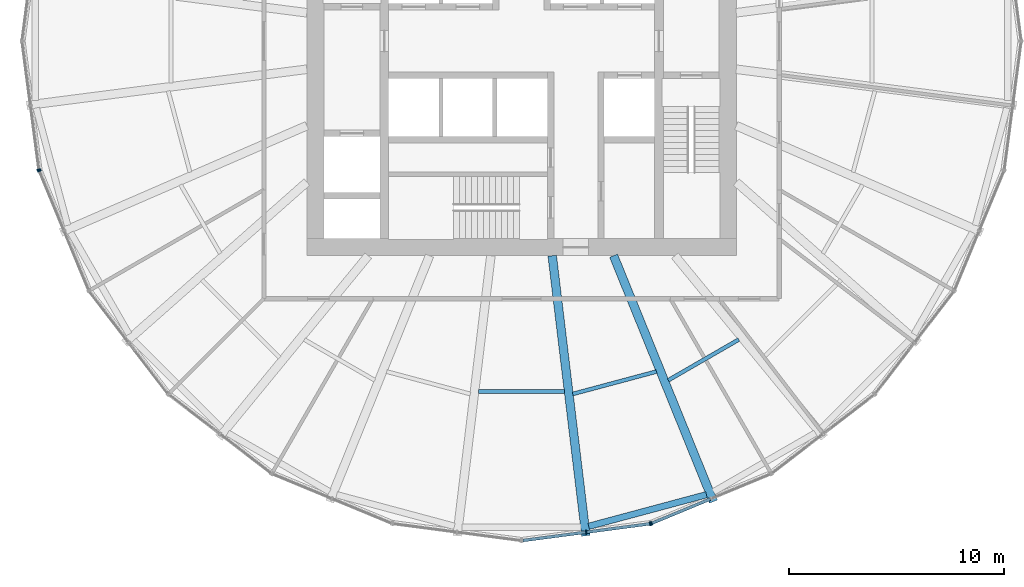
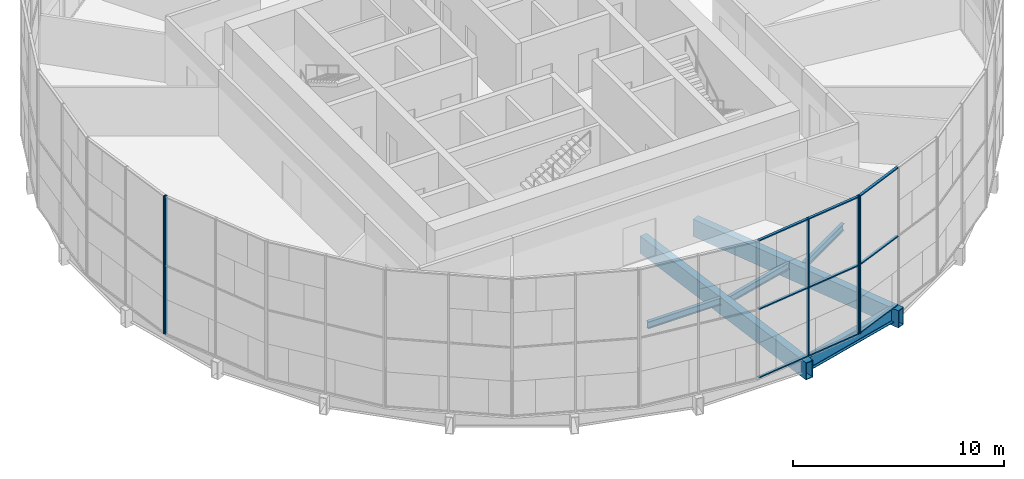
# One storey, part 2 of 18: 14 members, 6 beams, 4 elements without a shape of their own.
"""IFC4 building model written with IfcOpenShell, lengths in metres."""

from ifc_helpers import new_model, si_unit, direction, frame, origin, origin_2d, place, context, subcontext, project, spatial, rectangle, hollow_rectangle, i_section, extrude, material, material_profile, profile_set, type_object, element, aggregate, save


model = new_model("IFC4")

# Units and contexts
model_context = context("Model", 3, precision=1e-05, world=origin(), true_north=direction((0.0, 1.0)))
body_context = subcontext(model_context, "Body", "Model", "MODEL_VIEW")
ifc_project = project(units=[si_unit("LENGTHUNIT", "METRE"), si_unit("AREAUNIT", "SQUARE_METRE"), si_unit("VOLUMEUNIT", "CUBIC_METRE"), si_unit("PLANEANGLEUNIT", "RADIAN"), si_unit("MASSUNIT", "GRAM", prefix="KILO")], contexts=[model_context])

# Site, building, storey
site_placement = place(None, origin())
site = spatial("IfcSite", under=ifc_project, at=site_placement, CompositionType="ELEMENT")
building_placement = place(site_placement, origin())
building = spatial("IfcBuilding", under=site, at=building_placement, Name="Golbaran Civic Tower", CompositionType="ELEMENT")
storey_placement = place(building_placement, frame((0.0, 0.0, 45.0)))
storey = spatial("IfcBuildingStorey", under=building, at=storey_placement, Name="L10", CompositionType="ELEMENT", Elevation=45.0)

# Beams
ifc_material_1 = material(Name="Steel S355", Category="steel")
ifc_material_profile_1 = material_profile(ifc_material_1, i_section(OverallWidth=0.300048828125, OverallDepth=0.800048828125, WebThickness=0.017578125, FlangeThickness=0.032958984375, FilletRadius=0.030029296875, at=origin_2d()), Name="HEB 800")
ifc_profile_set_1 = profile_set([ifc_material_profile_1], Name="Steel S355")
beam_type_1 = type_object("IfcBeamType", Name="EDGE BEAM HEB 800", PredefinedType="BEAM", material=ifc_profile_set_1)
beam_1_placement = place(storey_placement, frame((3.127685546875, -22.603271484375, -0.60009765625), z_axis=(0.965816844102, 0.259225430173, 0.0), x_axis=(-0.259225430173, 0.965816844102, 0.0)))
element("IfcBeam", 1, at=beam_1_placement, inside=storey, type_object=beam_type_1, Name="Edge beam 277.40 L10", PredefinedType="BEAM", context=body_context, shape_type="SweptSolid", body=[
    extrude(i_section(OverallWidth=0.300048828125, OverallDepth=0.800048828125, WebThickness=0.017578125, FlangeThickness=0.032958984375, FilletRadius=0.030029296875, at=origin_2d()), origin(), (0.0, 0.0, 1.0), 5.67724609375),
])
ifc_material_profile_2 = material_profile(ifc_material_1, i_section(OverallWidth=0.179931640625, OverallDepth=0.39990234375, WebThickness=0.008544921875, FlangeThickness=0.013427734375, FilletRadius=0.02099609375, at=origin_2d()), Name="IPE 400")
ifc_profile_set_2 = profile_set([ifc_material_profile_2], Name="Steel S355")
beam_type_2 = type_object("IfcBeamType", Name="FLOOR INFILL BEAM IPE 400", PredefinedType="BEAM", material=ifc_profile_set_2)
beam_2_placement = place(storey_placement, frame((-2.009033203125, -16.3251953125, -0.39990234375), z_axis=(1.0, 0.0, 0.0), x_axis=(0.0, 1.0, 0.0)))
element("IfcBeam", 2, at=beam_2_placement, inside=storey, type_object=beam_type_2, Name="Infill beam 270.00 L10", PredefinedType="BEAM", context=body_context, shape_type="SweptSolid", body=[
    extrude(i_section(OverallWidth=0.179931640625, OverallDepth=0.39990234375, WebThickness=0.008544921875, FlangeThickness=0.013427734375, FilletRadius=0.02099609375, at=origin_2d()), origin(), (0.0, 0.0, 1.0), 4.01806640625),
])
beam_3_placement = place(storey_placement, frame((2.385498046875, -16.43994140625, -0.39990234375), z_axis=(0.965921848055, 0.258833891619, 0.0), x_axis=(-0.258833891619, 0.965921848055, 0.0)))
element("IfcBeam", 3, at=beam_3_placement, inside=storey, type_object=beam_type_2, Name="Infill beam 285.00 L10", PredefinedType="BEAM", context=body_context, shape_type="SweptSolid", body=[
    extrude(i_section(OverallWidth=0.179931640625, OverallDepth=0.39990234375, WebThickness=0.008544921875, FlangeThickness=0.013427734375, FilletRadius=0.02099609375, at=origin_2d()), origin(), (0.0, 0.0, 1.0), 4.0341796875),
])
beam_4_placement = place(storey_placement, frame((6.8349609375, -15.800048828125, -0.39990234375), z_axis=(0.866049280635, 0.499958641801, 0.0), x_axis=(-0.499958641801, 0.866049280635, 0.0)))
element("IfcBeam", 4, at=beam_4_placement, inside=storey, type_object=beam_type_2, Name="Infill beam 300.00 L10", PredefinedType="BEAM", context=body_context, shape_type="SweptSolid", body=[
    extrude(i_section(OverallWidth=0.179931640625, OverallDepth=0.39990234375, WebThickness=0.008544921875, FlangeThickness=0.013427734375, FilletRadius=0.02099609375, at=origin_2d()), origin(), (0.0, 0.0, 1.0), 3.787841796875),
])

# Curtain wall, member
ifc_material_2 = material(Name="Aluminium and glass", Category="aluminium")
curtain_wall_type = type_object("IfcCurtainWallType", Name="INNER SKIN CURTAIN WALL", PredefinedType="NOTDEFINED", material=ifc_material_2)
curtain_wall_1_placement = place(storey_placement, origin())
curtain_wall_1 = element("IfcCurtainWall", 5, at=curtain_wall_1_placement, inside=storey, type_object=curtain_wall_type, Name="Inner skin L10 facet 13 CW1", ObjectType="INNER SKIN", PredefinedType="USERDEFINED")
ifc_material_3 = material(Name="Aluminium", Category="aluminium")
ifc_material_profile_3 = material_profile(ifc_material_3, rectangle(XDim=0.179931640625, YDim=0.06494140625, at=origin_2d()), Name="INNER SKIN CURTAIN WALL MULLION")
ifc_profile_set_3 = profile_set([ifc_material_profile_3], Name="Aluminium")
member_type_1 = type_object("IfcMemberType", Name="INNER SKIN CURTAIN WALL MULLION", PredefinedType="MULLION", material=ifc_profile_set_3)
member_1_placement = place(storey_placement, frame((-22.482421875, -5.99072265625, 0.0), z_axis=(0.0, 0.0, 1.0), x_axis=(0.991444861385, 0.130526192134, 0.0)))
member_1 = element("IfcMember", 6, at=member_1_placement, type_object=member_type_1, Name="CW1 mullion 3", PredefinedType="MULLION", context=body_context, shape_type="SweptSolid", body=[
    extrude(rectangle(XDim=0.179931640625, YDim=0.06494140625, at=origin_2d()), origin(), (0.0, 0.0, 1.0), 8.0),
])
aggregate(curtain_wall_1, [member_1])

curtain_wall_2_placement = place(storey_placement, origin())
curtain_wall_2 = element("IfcCurtainWall", 7, at=curtain_wall_2_placement, inside=storey, type_object=curtain_wall_type, Name="Inner skin L10 facet 14 CW1", ObjectType="INNER SKIN", PredefinedType="USERDEFINED")
member_2_placement = place(storey_placement, frame((-22.465576171875, -6.052978515625, 0.0), z_axis=(0.0, 0.0, 1.0), x_axis=(0.923879532451, 0.38268343251, 0.0)))
member_2 = element("IfcMember", 8, at=member_2_placement, type_object=member_type_1, Name="CW1 mullion 1", PredefinedType="MULLION", context=body_context, shape_type="SweptSolid", body=[
    extrude(rectangle(XDim=0.179931640625, YDim=0.06494140625, at=origin_2d()), origin(), (0.0, 0.0, 1.0), 8.0),
])
aggregate(curtain_wall_2, [member_2])

# Curtain wall, members
curtain_wall_3_placement = place(storey_placement, origin())
curtain_wall_3 = element("IfcCurtainWall", 9, at=curtain_wall_3_placement, inside=storey, type_object=curtain_wall_type, Name="Inner skin L10 facet 19 CW1", ObjectType="INNER SKIN", PredefinedType="USERDEFINED")
member_3_placement = place(storey_placement, frame((3.011474609375, -22.87451171875, 0.0), z_axis=(0.0, 0.0, 1.0), x_axis=(-0.130526192134, 0.991444861385, 0.0)))
member_3 = element("IfcMember", 10, at=member_3_placement, type_object=member_type_1, Name="CW1 mullion 2", PredefinedType="MULLION", context=body_context, shape_type="SweptSolid", body=[
    extrude(rectangle(XDim=0.179931640625, YDim=0.06494140625, at=origin_2d()), origin(), (0.0, 0.0, 1.0), 8.0),
])
member_4_placement = place(storey_placement, frame((5.99072265625, -22.482421875, 0.0), z_axis=(0.0, 0.0, 1.0), x_axis=(-0.130526192134, 0.991444861385, 0.0)))
member_4 = element("IfcMember", 11, at=member_4_placement, type_object=member_type_1, Name="CW1 mullion 3", PredefinedType="MULLION", context=body_context, shape_type="SweptSolid", body=[
    extrude(rectangle(XDim=0.179931640625, YDim=0.06494140625, at=origin_2d()), origin(), (0.0, 0.0, 1.0), 8.0),
])

# Curtain wall, member
curtain_wall_4_placement = place(storey_placement, origin())
curtain_wall_4 = element("IfcCurtainWall", 12, at=curtain_wall_4_placement, inside=storey, type_object=curtain_wall_type, Name="Inner skin L10 facet 20 CW1", ObjectType="INNER SKIN", PredefinedType="USERDEFINED")
member_5_placement = place(storey_placement, frame((6.052978515625, -22.465576171875, 0.0), z_axis=(0.0, 0.0, 1.0), x_axis=(-0.38268343251, 0.923879532451, 0.0)))
member_5 = element("IfcMember", 13, at=member_5_placement, type_object=member_type_1, Name="CW1 mullion 1", PredefinedType="MULLION", context=body_context, shape_type="SweptSolid", body=[
    extrude(rectangle(XDim=0.179931640625, YDim=0.06494140625, at=origin_2d()), origin(), (0.0, 0.0, 1.0), 8.0),
])

# Member
ifc_material_profile_4 = material_profile(ifc_material_3, rectangle(XDim=0.139892578125, YDim=0.06494140625, at=origin_2d()), Name="INNER SKIN CURTAIN WALL TRANSOM")
ifc_profile_set_4 = profile_set([ifc_material_profile_4], Name="Aluminium")
member_type_2 = type_object("IfcMemberType", Name="INNER SKIN CURTAIN WALL TRANSOM", PredefinedType="USERDEFINED", material=ifc_profile_set_4)
member_6_placement = place(storey_placement, frame((0.064453125, -23.262451171875, 0.032470703125), z_axis=(0.99144270301, 0.130542585571, 0.0), x_axis=(-0.130542585571, 0.99144270301, 0.0)))
member_6 = element("IfcMember", 14, at=member_6_placement, type_object=member_type_2, Name="CW1 transom 1.1", ObjectType="TRANSOM", PredefinedType="USERDEFINED", context=body_context, shape_type="SweptSolid", body=[
    extrude(rectangle(XDim=0.139892578125, YDim=0.06494140625, at=origin_2d()), origin(), (0.0, 0.0, 1.0), 2.93994140625),
])

member_7_placement = place(storey_placement, frame((0.064453125, -23.262451171875, 4.0), z_axis=(0.99144270301, 0.130542585571, 0.0), x_axis=(-0.130542585571, 0.99144270301, 0.0)))
member_7 = element("IfcMember", 15, at=member_7_placement, type_object=member_type_2, Name="CW1 transom 1.2", ObjectType="TRANSOM", PredefinedType="USERDEFINED", context=body_context, shape_type="SweptSolid", body=[
    extrude(rectangle(XDim=0.139892578125, YDim=0.06494140625, at=origin_2d()), origin(), (0.0, 0.0, 1.0), 2.93994140625),
])

member_8_placement = place(storey_placement, frame((0.064453125, -23.262451171875, 7.967529296875), z_axis=(0.99144270301, 0.130542585571, 0.0), x_axis=(-0.130542585571, 0.99144270301, 0.0)))
member_8 = element("IfcMember", 16, at=member_8_placement, type_object=member_type_2, Name="CW1 transom 1.3", ObjectType="TRANSOM", PredefinedType="USERDEFINED", context=body_context, shape_type="SweptSolid", body=[
    extrude(rectangle(XDim=0.139892578125, YDim=0.06494140625, at=origin_2d()), origin(), (0.0, 0.0, 1.0), 2.93994140625),
])

member_9_placement = place(storey_placement, frame((3.043701171875, -22.870361328125, 0.032470703125), z_axis=(0.99144270301, 0.130542585571, 0.0), x_axis=(-0.130542585571, 0.99144270301, 0.0)))
member_9 = element("IfcMember", 17, at=member_9_placement, type_object=member_type_2, Name="CW1 transom 2.1", ObjectType="TRANSOM", PredefinedType="USERDEFINED", context=body_context, shape_type="SweptSolid", body=[
    extrude(rectangle(XDim=0.139892578125, YDim=0.06494140625, at=origin_2d()), origin(), (0.0, 0.0, 1.0), 2.93994140625),
])

member_10_placement = place(storey_placement, frame((3.043701171875, -22.870361328125, 4.0), z_axis=(0.99144270301, 0.130542585571, 0.0), x_axis=(-0.130542585571, 0.99144270301, 0.0)))
member_10 = element("IfcMember", 18, at=member_10_placement, type_object=member_type_2, Name="CW1 transom 2.2", ObjectType="TRANSOM", PredefinedType="USERDEFINED", context=body_context, shape_type="SweptSolid", body=[
    extrude(rectangle(XDim=0.139892578125, YDim=0.06494140625, at=origin_2d()), origin(), (0.0, 0.0, 1.0), 2.93994140625),
])

member_11_placement = place(storey_placement, frame((3.043701171875, -22.870361328125, 7.967529296875), z_axis=(0.99144270301, 0.130542585571, 0.0), x_axis=(-0.130542585571, 0.99144270301, 0.0)))
member_11 = element("IfcMember", 19, at=member_11_placement, type_object=member_type_2, Name="CW1 transom 2.3", ObjectType="TRANSOM", PredefinedType="USERDEFINED", context=body_context, shape_type="SweptSolid", body=[
    extrude(rectangle(XDim=0.139892578125, YDim=0.06494140625, at=origin_2d()), origin(), (0.0, 0.0, 1.0), 2.93994140625),
])

aggregate(curtain_wall_3, [member_3, member_4, member_6, member_7, member_8, member_9, member_10, member_11])

member_12_placement = place(storey_placement, frame((6.0830078125, -22.453125, 0.032470703125), z_axis=(0.923895388275, 0.382645150923, 0.0), x_axis=(-0.382645150923, 0.923895388275, 0.0)))
member_12 = element("IfcMember", 20, at=member_12_placement, type_object=member_type_2, Name="CW1 transom 1.1", ObjectType="TRANSOM", PredefinedType="USERDEFINED", context=body_context, shape_type="SweptSolid", body=[
    extrude(rectangle(XDim=0.139892578125, YDim=0.06494140625, at=origin_2d()), origin(), (0.0, 0.0, 1.0), 2.93994140625),
])

member_13_placement = place(storey_placement, frame((6.0830078125, -22.453125, 4.0), z_axis=(0.923895388275, 0.382645150923, 0.0), x_axis=(-0.382645150923, 0.923895388275, 0.0)))
member_13 = element("IfcMember", 21, at=member_13_placement, type_object=member_type_2, Name="CW1 transom 1.2", ObjectType="TRANSOM", PredefinedType="USERDEFINED", context=body_context, shape_type="SweptSolid", body=[
    extrude(rectangle(XDim=0.139892578125, YDim=0.06494140625, at=origin_2d()), origin(), (0.0, 0.0, 1.0), 2.93994140625),
])

member_14_placement = place(storey_placement, frame((6.0830078125, -22.453125, 7.967529296875), z_axis=(0.923895388275, 0.382645150923, 0.0), x_axis=(-0.382645150923, 0.923895388275, 0.0)))
member_14 = element("IfcMember", 22, at=member_14_placement, type_object=member_type_2, Name="CW1 transom 1.3", ObjectType="TRANSOM", PredefinedType="USERDEFINED", context=body_context, shape_type="SweptSolid", body=[
    extrude(rectangle(XDim=0.139892578125, YDim=0.06494140625, at=origin_2d()), origin(), (0.0, 0.0, 1.0), 2.93994140625),
])

aggregate(curtain_wall_4, [member_5, member_12, member_13, member_14])

# Beams
ifc_material_profile_5 = material_profile(ifc_material_1, hollow_rectangle(XDim=0.39990234375, YDim=1.0, WallThickness=0.0400390625, at=origin_2d()), Name="BOX 1000x400x40")
ifc_profile_set_5 = profile_set([ifc_material_profile_5], Name="Steel S355")
beam_type_3 = type_object("IfcBeamType", Name="RADIAL FLOOR BEAM BOX 1000x400x40", PredefinedType="BEAM", material=ifc_profile_set_5)
beam_5_placement = place(storey_placement, frame((1.428466796875, -10.0, -0.7099609375), z_axis=(0.119578930888, -0.992824697158, 0.0), x_axis=(0.992824697158, 0.119578930888, 0.0)))
element("IfcBeam", 23, at=beam_5_placement, inside=storey, type_object=beam_type_3, Name="Radial beam 277.40 L10", PredefinedType="BEAM", context=body_context, shape_type="SweptSolid", body=[
    extrude(hollow_rectangle(XDim=0.39990234375, YDim=1.0, WallThickness=0.0400390625, at=origin_2d()), origin(), (0.0, 0.0, 1.0), 13.14013671875),
])
beam_6_placement = place(storey_placement, frame((4.28564453125, -10.0, -0.7099609375), z_axis=(0.376193235526, -0.926541229274, 0.0), x_axis=(0.926541229274, 0.376193235526, 0.0)))
element("IfcBeam", 24, at=beam_6_placement, inside=storey, type_object=beam_type_3, Name="Radial beam 292.60 L10", PredefinedType="BEAM", context=body_context, shape_type="SweptSolid", body=[
    extrude(hollow_rectangle(XDim=0.39990234375, YDim=1.0, WallThickness=0.0400390625, at=origin_2d()), origin(), (0.0, 0.0, 1.0), 12.363037109375),
])

save(model, "model.ifc")
